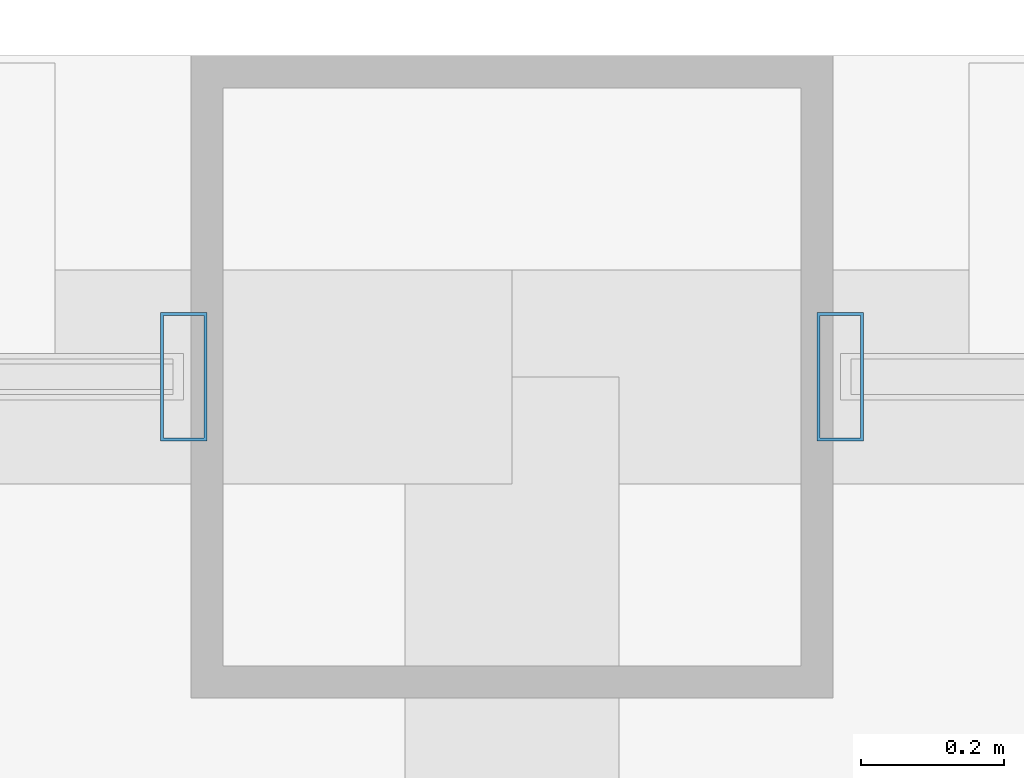
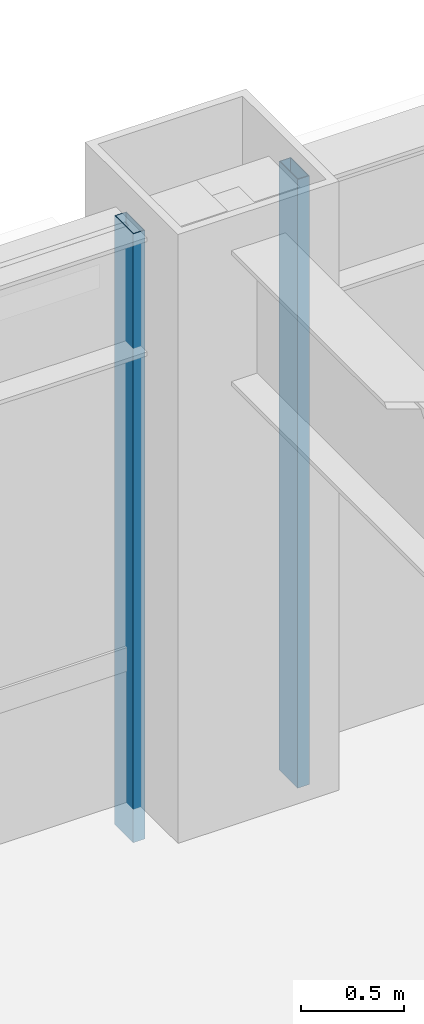
# One storey, part 20 of 29: 2 members, 2 elements without a shape of their own.
"""IFC4 building model written with IfcOpenShell, lengths in metres."""

from ifc_helpers import new_model, si_unit, direction, frame, origin, origin_2d, place, context, subcontext, project, spatial, hollow_rectangle, extrude, material, layer, layer_set, material_profile, profile_set, type_object, element, aggregate, save


model = new_model("IFC4")

# Units and contexts
model_context = context("Model", 3, precision=1e-05, world=origin(), true_north=direction((0.0, 1.0)))
body_context = subcontext(model_context, "Body", "Model", "MODEL_VIEW")
ifc_project = project(units=[si_unit("LENGTHUNIT", "METRE"), si_unit("AREAUNIT", "SQUARE_METRE"), si_unit("VOLUMEUNIT", "CUBIC_METRE"), si_unit("PLANEANGLEUNIT", "RADIAN"), si_unit("MASSUNIT", "GRAM", prefix="KILO")], contexts=[model_context])

# Site, building, storey
site_placement = place(None, origin())
site = spatial("IfcSite", under=ifc_project, at=site_placement, CompositionType="ELEMENT")
building_placement = place(site_placement, origin())
building = spatial("IfcBuilding", under=site, at=building_placement, Name="Brelmoor Portico Tower", CompositionType="ELEMENT")
storey_placement = place(building_placement, frame((0.0, 0.0, 52.800048828125)))
storey = spatial("IfcBuildingStorey", under=building, at=storey_placement, Name="L13", CompositionType="ELEMENT", Elevation=52.800048828125)

# Curtain wall, member
ifc_material = material(Name="Anodised Aluminium Alloy 6063-T6", Category="aluminium")
ifc_layer_1 = layer(ifc_material, 0.179931640625)
ifc_layer_set_1 = layer_set([ifc_layer_1], Name="Anodised Aluminium Alloy 6063-T6")
curtain_wall_type_1 = type_object("IfcCurtainWallType", Name="CW-TOWER-Z1", PredefinedType="NOTDEFINED", material=ifc_layer_set_1)
curtain_wall_1_placement = place(storey_placement, origin())
curtain_wall_1 = element("IfcCurtainWall", 1, at=curtain_wall_1_placement, inside=storey, type_object=curtain_wall_type_1, Name="L13 Curtain Wall CW-L13-02-2", PredefinedType="NOTDEFINED")
ifc_material_profile = material_profile(ifc_material, hollow_rectangle(XDim=0.06494140625, YDim=0.179931640625, WallThickness=0.00390625, at=origin_2d()), Name="ALU MULLION 65x180")
ifc_profile_set = profile_set([ifc_material_profile], Name="Anodised Aluminium Alloy 6063-T6")
member_type = type_object("IfcMemberType", Name="MB-CW-MULL-180", PredefinedType="MULLION", material=ifc_profile_set)
member_1_placement = place(storey_placement, frame((-8.510009765625, 21.550048828125, -0.199951171875), z_axis=(0.0, 0.0, 1.0), x_axis=(1.0, 0.0, 0.0)))
member_1 = element("IfcMember", 2, at=member_1_placement, type_object=member_type, Name="CW-L13-02-2 Mullion 01", PredefinedType="MULLION", context=body_context, shape_type="SweptSolid", body=[
    extrude(hollow_rectangle(XDim=0.06494140625, YDim=0.179931640625, WallThickness=0.00390625, at=origin_2d()), origin(), (0.0, 0.0, 1.0), 3.599853515625),
])
aggregate(curtain_wall_1, [member_1])

ifc_layer_2 = layer(ifc_material, 0.179931640625)
ifc_layer_set_2 = layer_set([ifc_layer_2], Name="Anodised Aluminium Alloy 6063-T6")
curtain_wall_type_2 = type_object("IfcCurtainWallType", Name="CW-TOWER-Z1-XB", PredefinedType="NOTDEFINED", material=ifc_layer_set_2)
curtain_wall_2_placement = place(storey_placement, origin())
curtain_wall_2 = element("IfcCurtainWall", 3, at=curtain_wall_2_placement, inside=storey, type_object=curtain_wall_type_2, Name="L13 Curtain Wall CW-L13-02-3", PredefinedType="NOTDEFINED")
member_2_placement = place(storey_placement, frame((-7.590087890625, 21.550048828125, -0.199951171875), z_axis=(0.0, 0.0, 1.0), x_axis=(1.0, 0.0, 0.0)))
member_2 = element("IfcMember", 4, at=member_2_placement, type_object=member_type, Name="CW-L13-02-3 Mullion 00", PredefinedType="MULLION", context=body_context, shape_type="SweptSolid", body=[
    extrude(hollow_rectangle(XDim=0.06494140625, YDim=0.179931640625, WallThickness=0.00390625, at=origin_2d()), origin(), (0.0, 0.0, 1.0), 3.599853515625),
])
aggregate(curtain_wall_2, [member_2])

save(model, "model.ifc")
